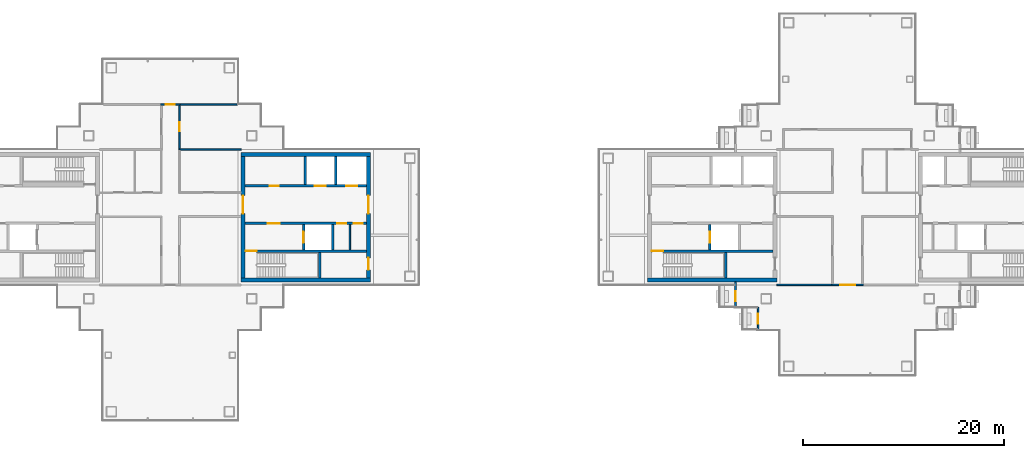
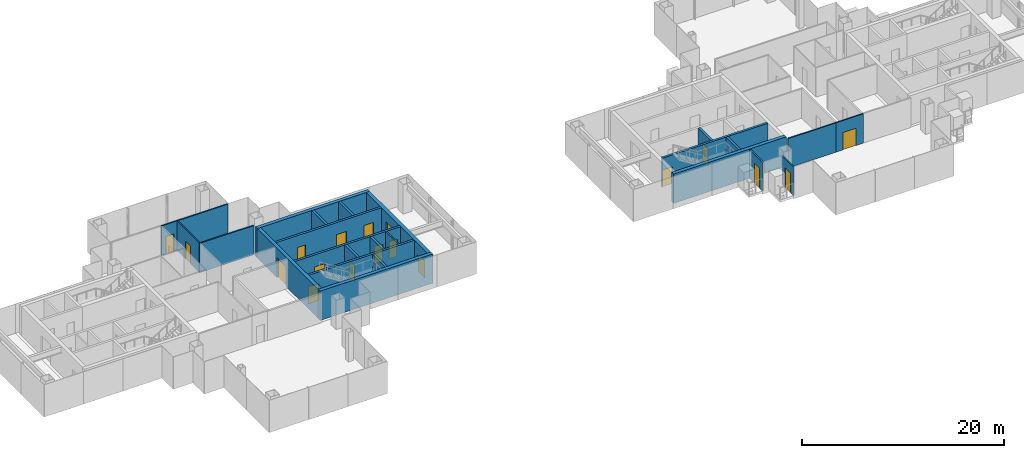
# One storey, part 10 of 16: 25 walls, 18 doors, 18 openings.
"""IFC4 building model written with IfcOpenShell, lengths in metres."""

import ifcopenshell
import ifcopenshell.guid

model = None  # the IFC model being written
_history = None  # IfcOwnerHistory: only IFC2X3 demands one
_inside = {}  # id of a spatial element -> (the spatial element, [elements in it])
_under = {}  # id of a project, library or spatial element -> (it, [spatial elements below it])
_declared = {}  # id of a project -> (the project, [libraries it declares])
_typed = {}  # id of a type object -> (the type object, [elements of that type])
_made_of = {}  # id of a material, layer set ... -> (it, [elements and type objects made of it])


def new_model(schema):
    """Start an empty IFC model of exactly this schema.

    Asked for "IFC4X3", IfcOpenShell would pick the latest addendum, in which some entities
    have other attributes; the version numbers below select the first issue.
    IFC2X3 requires an IfcOwnerHistory on every rooted entity: one is made here for all.
    """
    global model, _history
    if schema == "IFC4X3":
        model = ifcopenshell.file(schema_version=(4, 3, 0, 0))
    else:
        model = ifcopenshell.file(schema=schema)
    _inside.clear()
    _under.clear()
    _declared.clear()
    _typed.clear()
    _made_of.clear()
    _history = None
    if model.schema == "IFC2X3":
        org = make("IfcOrganization", Name="unknown")
        user = make(
            "IfcPersonAndOrganization",
            ThePerson=make("IfcPerson", FamilyName="unknown"),
            TheOrganization=org,
        )
        app = make(
            "IfcApplication",
            ApplicationDeveloper=org,
            Version="unknown",
            ApplicationFullName="unknown",
            ApplicationIdentifier="unknown",
        )
        _history = make(
            "IfcOwnerHistory",
            OwningUser=user,
            OwningApplication=app,
            ChangeAction="ADDED",
            CreationDate=0,
        )
    return model


def make(cls, **values):
    """One entity of the class cls with the attributes given. An attribute that is None is left unset."""
    return model.create_entity(
        cls, **{name: value for name, value in values.items() if value is not None}
    )


def rooted(cls, **values):
    """An entity with a GlobalId (a new one), such as an element, a storey or a relation."""
    return make(cls, GlobalId=ifcopenshell.guid.new(), OwnerHistory=_history, **values)


def si_unit(unit_type, name, prefix=None):
    """IfcSIUnit, for example si_unit("LENGTHUNIT", "METRE", prefix="MILLI")."""
    return make("IfcSIUnit", UnitType=unit_type, Prefix=prefix, Name=name)


def assignment(units):
    """IfcUnitAssignment: the units of a project."""
    return None if units is None else make("IfcUnitAssignment", Units=units)


def point(xyz):
    """IfcCartesianPoint."""
    return None if xyz is None else make("IfcCartesianPoint", Coordinates=xyz)


def direction(xyz):
    """IfcDirection."""
    return None if xyz is None else make("IfcDirection", DirectionRatios=xyz)


def frame(location, z_axis=None, x_axis=None):
    """IfcAxis2Placement3D, a coordinate frame: its origin and axes. An axis left out is left unset."""
    return make(
        "IfcAxis2Placement3D",
        Location=point(location),
        Axis=direction(z_axis),
        RefDirection=direction(x_axis),
    )


def frame_2d(location, x_axis=None):
    """IfcAxis2Placement2D, a coordinate frame in the plane: its origin and x axis."""
    return make(
        "IfcAxis2Placement2D", Location=point(location), RefDirection=direction(x_axis)
    )


def origin():
    """The frame at (0, 0, 0) with its axes left unset."""
    return frame((0.0, 0.0, 0.0))


def place(relative_to, where):
    """IfcLocalPlacement: puts the frame where relative to a parent placement (None: the world)."""
    return make(
        "IfcLocalPlacement", PlacementRelTo=relative_to, RelativePlacement=where
    )


def context(
    kind, dimensions, precision=None, world=None, true_north=None, identifier=None
):
    """IfcGeometricRepresentationContext, for example the 3D "Model" context."""
    return make(
        "IfcGeometricRepresentationContext",
        ContextIdentifier=identifier,
        ContextType=kind,
        CoordinateSpaceDimension=dimensions,
        Precision=precision,
        WorldCoordinateSystem=world,
        TrueNorth=true_north,
    )


def subcontext(parent, identifier, kind, view, scale=None):
    """IfcGeometricRepresentationSubContext, for example "Body" below "Model"."""
    return make(
        "IfcGeometricRepresentationSubContext",
        ContextIdentifier=identifier,
        ContextType=kind,
        ParentContext=parent,
        TargetScale=scale,
        TargetView=view,
    )


def project(units=None, contexts=None):
    """IfcProject with its units and contexts."""
    return rooted(
        "IfcProject",
        Name="project",
        RepresentationContexts=contexts,
        UnitsInContext=assignment(units),
    )


def spatial(cls, under=None, at=None, **own):
    """A site, building, storey or space (cls), placed at a placement, below another one or the project."""
    s = rooted(cls, ObjectPlacement=at, **own)
    if under is not None:
        _under.setdefault(under.id(), (under, []))[1].append(s)
    return s


def profile(cls, at=None, kind="AREA", **sizes):
    """A parametric profile (cls). Its sizes go by their IFC names, for example OverallWidth=200.0."""
    return make(cls, ProfileType=kind, Position=at, **sizes)


def rectangle(**sizes):
    """IfcRectangleProfileDef."""
    return profile("IfcRectangleProfileDef", **sizes)


def extrude(swept, where, along, depth):
    """IfcExtrudedAreaSolid: the profile swept, set in the frame where, extruded along a direction by depth."""
    return make(
        "IfcExtrudedAreaSolid",
        SweptArea=swept,
        Position=where,
        ExtrudedDirection=direction(along),
        Depth=depth,
    )


def shape(context_of_items, identifier, shape_type, items):
    """IfcShapeRepresentation: the items that make up one representation, for example the "Body"."""
    return make(
        "IfcShapeRepresentation",
        ContextOfItems=context_of_items,
        RepresentationIdentifier=identifier,
        RepresentationType=shape_type,
        Items=items,
    )


def material(Name=None, Category=None):
    """IfcMaterial."""
    return make("IfcMaterial", Name=Name, Category=Category)


def layer(
    of_material, thickness, ventilated=None, Name=None, Category=None, Priority=None
):
    """IfcMaterialLayer: one layer of a wall or slab, of a material (None: an air gap)."""
    return make(
        "IfcMaterialLayer",
        Material=of_material,
        LayerThickness=thickness,
        IsVentilated=ventilated,
        Name=Name,
        Category=Category,
        Priority=Priority,
    )


def layer_set(layers, Name=None):
    """IfcMaterialLayerSet."""
    return make("IfcMaterialLayerSet", MaterialLayers=layers, LayerSetName=Name)


def made_of(thing, what):
    """Note that an element or type object is made of a material, layer set ...; save() writes the relation."""
    if what is not None:
        _made_of.setdefault(what.id(), (what, []))[1].append(thing)
    return thing


def type_object(cls, material=None, **own):
    """A type object (cls), such as IfcWallType, which elements share."""
    return made_of(rooted(cls, **own), material)


def element(
    cls,
    number,
    at=None,
    inside=None,
    cuts=None,
    type_object=None,
    material=None,
    context=None,
    identifier="Body",
    shape_type=None,
    held_by="IfcProductDefinitionShape",
    body=None,
    shapes=None,
    **own,
):
    """One element of the class cls, such as IfcWall. Its Tag is "e" and its number.

    at: its placement. inside: the storey or other place that contains it. cuts: it is an
    opening in that element (IfcRelVoidsElement). A single representation is given by context,
    identifier, shape_type and body (its items); several are given by shapes. held_by: the class
    of the entity that holds the representations. save() writes the other relations.
    """
    e = rooted(cls, Tag="e%d" % number, ObjectPlacement=at, **own)
    if body is not None:
        shapes = [shape(context, identifier, shape_type, body)]
    if shapes is not None:
        e.Representation = make(held_by, Representations=shapes)
    if inside is not None:
        _inside.setdefault(inside.id(), (inside, []))[1].append(e)
    if cuts is not None:
        rooted(
            "IfcRelVoidsElement", RelatingBuildingElement=cuts, RelatedOpeningElement=e
        )
    if type_object is not None:
        _typed.setdefault(type_object.id(), (type_object, []))[1].append(e)
    return made_of(e, material)


def fill(opening, filler):
    """IfcRelFillsElement: the door or window that sits in an opening."""
    return rooted(
        "IfcRelFillsElement",
        RelatingOpeningElement=opening,
        RelatedBuildingElement=filler,
    )


def aggregate(whole, parts):
    """IfcRelAggregates: a whole, such as a stair, and the parts it consists of."""
    return rooted("IfcRelAggregates", RelatingObject=whole, RelatedObjects=parts)


def save(model, path):
    """Write the relations noted so far, then the file.

    IfcRelAggregates (storeys below a building ...), IfcRelContainedInSpatialStructure (elements
    in a storey), IfcRelDefinesByType, IfcRelAssociatesMaterial and IfcRelDeclares: one each for
    every whole, place, type object, material and project.
    """
    for whole, parts in _under.values():
        aggregate(whole, parts)
    for where, things in _inside.values():
        rooted(
            "IfcRelContainedInSpatialStructure",
            RelatedElements=things,
            RelatingStructure=where,
        )
    for kind, things in _typed.values():
        rooted("IfcRelDefinesByType", RelatedObjects=things, RelatingType=kind)
    for what, things in _made_of.values():
        rooted("IfcRelAssociatesMaterial", RelatedObjects=things, RelatingMaterial=what)
    for by, libraries in _declared.values():
        rooted("IfcRelDeclares", RelatingContext=by, RelatedDefinitions=libraries)
    model.write(path)


model = new_model("IFC4")

# Units and contexts
model_context = context("Model", 3, precision=1e-05, world=origin(), true_north=direction((0.0, 1.0)))
body_context = subcontext(model_context, "Body", "Model", "MODEL_VIEW")
ifc_project = project(units=[si_unit("LENGTHUNIT", "METRE"), si_unit("AREAUNIT", "SQUARE_METRE"), si_unit("VOLUMEUNIT", "CUBIC_METRE"), si_unit("PLANEANGLEUNIT", "RADIAN"), si_unit("MASSUNIT", "GRAM", prefix="KILO")], contexts=[model_context])

# Site, building, storey
site_placement = place(None, origin())
site = spatial("IfcSite", under=ifc_project, at=site_placement, CompositionType="ELEMENT")
building_placement = place(site_placement, origin())
building = spatial("IfcBuilding", under=site, at=building_placement, Name="Shamsa Quay Exchange Towers", CompositionType="ELEMENT")
storey_placement = place(building_placement, frame((0.0, 0.0, 213.89990234375)))
storey = spatial("IfcBuildingStorey", under=building, at=storey_placement, Name="L51", CompositionType="ELEMENT", Elevation=213.89990234375)

# Wall, opening, door
ifc_material_1 = material(Name="Aluminium EN AW-6063 T6, black anodised, with black enamelled glass infill", Category="aluminium")
ifc_layer_1 = layer(ifc_material_1, 0.14990234375)
ifc_layer_set_1 = layer_set([ifc_layer_1], Name="BALCONY DOOR BAY WALL 150")
wall_type_1 = type_object("IfcWallType", Name="BALCONY DOOR BAY WALL 150", PredefinedType="SOLIDWALL", material=ifc_layer_set_1)
wall_1_placement = place(storey_placement, frame((22.574951171875, -9.0, 0.0), z_axis=(0.0, 0.0, 1.0), x_axis=(0.0, 1.0, 0.0)))
wall_1 = element("IfcWall", 1, at=wall_1_placement, inside=storey, type_object=wall_type_1, Name="Door bay T2-PKWN L51", PredefinedType="SOLIDWALL", context=body_context, shape_type="SweptSolid", body=[
    extrude(rectangle(XDim=2.556884765625, YDim=0.14990234375, at=frame_2d((1.2783203125, 0.0))), origin(), (0.0, 0.0, 1.0), 3.4501953125),
])
opening_1_placement = place(wall_1_placement, frame((0.625, 0.0, 0.0)))
opening_1 = element("IfcOpeningElement", 2, at=opening_1_placement, cuts=wall_1, Name="Opening XD341", PredefinedType="OPENING", context=body_context, shape_type="SweptSolid", body=[
    extrude(rectangle(XDim=1.0, YDim=2.39990234375, at=frame_2d((0.5, 1.199951171875))), frame((0.0, 0.0849609375, 0.0), z_axis=(0.0, -1.0, 0.0), x_axis=(1.0, 0.0, 0.0)), (0.0, 0.0, 1.0), 0.169921875),
])
ifc_material_2 = material(Name="Aluminium EN AW-6063 T6, black anodised, with laminated glass leaf", Category="aluminium")
door_type_1 = type_object("IfcDoorType", Name="BALCONY DOOR 1000x2400", OperationType="SINGLE_SWING_LEFT", PredefinedType="DOOR", material=ifc_material_2)
door_1_placement = place(opening_1_placement, origin())
door_1 = element("IfcDoor", 3, at=door_1_placement, inside=storey, type_object=door_type_1, Name="Balcony door T2-PKWN L51", OperationType="SINGLE_SWING_LEFT", OverallHeight=2.39990234375, OverallWidth=1.0, PredefinedType="DOOR", context=body_context, shape_type="SweptSolid", body=[
    extrude(rectangle(XDim=1.0, YDim=2.39990234375, at=frame_2d((0.5, 1.199951171875))), frame((0.0, 0.02490234375, 0.0), z_axis=(0.0, -1.0, 0.0), x_axis=(1.0, 0.0, 0.0)), (0.0, 0.0, 1.0), 0.050048828125),
])
fill(opening_1, door_1)

wall_2_placement = place(storey_placement, frame((24.824951171875, -11.25, 0.0), z_axis=(0.0, 0.0, 1.0), x_axis=(0.0, 1.0, 0.0)))
wall_2 = element("IfcWall", 4, at=wall_2_placement, inside=storey, type_object=wall_type_1, Name="Door bay T2-PKWN L51", PredefinedType="SOLIDWALL", context=body_context, shape_type="SweptSolid", body=[
    extrude(rectangle(XDim=2.25, YDim=0.14990234375, at=frame_2d((1.125, 0.0))), origin(), (0.0, 0.0, 1.0), 3.4501953125),
])
opening_2_placement = place(wall_2_placement, frame((0.625, 0.0, 0.0)))
opening_2 = element("IfcOpeningElement", 5, at=opening_2_placement, cuts=wall_2, Name="Opening XD342", PredefinedType="OPENING", context=body_context, shape_type="SweptSolid", body=[
    extrude(rectangle(XDim=1.0, YDim=2.39990234375, at=frame_2d((0.5, 1.199951171875))), frame((0.0, 0.0849609375, 0.0), z_axis=(0.0, -1.0, 0.0), x_axis=(1.0, 0.0, 0.0)), (0.0, 0.0, 1.0), 0.169921875),
])
door_2_placement = place(opening_2_placement, origin())
door_2 = element("IfcDoor", 6, at=door_2_placement, inside=storey, type_object=door_type_1, Name="Balcony door T2-PKWN L51", OperationType="SINGLE_SWING_RIGHT", OverallHeight=2.39990234375, OverallWidth=1.0, PredefinedType="DOOR", context=body_context, shape_type="SweptSolid", body=[
    extrude(rectangle(XDim=1.0, YDim=2.39990234375, at=frame_2d((0.5, 1.199951171875))), frame((0.0, 0.02490234375, 0.0), z_axis=(0.0, -1.0, 0.0), x_axis=(1.0, 0.0, 0.0)), (0.0, 0.0, 1.0), 0.050048828125),
])
fill(opening_2, door_2)

# Walls
ifc_material_3 = material(Name="Concrete C60/75", Category="concrete")
ifc_layer_2 = layer(ifc_material_3, 0.39990234375)
ifc_layer_set_2 = layer_set([ifc_layer_2], Name="CORE WALL 400 C60/75")
wall_type_2 = type_object("IfcWallType", Name="CORE WALL 400 C60/75", PredefinedType="SHEAR", material=ifc_layer_set_2)
for number, where, name in (
    (7, (-26.699951171875, -6.25, 0.0), "Core wall T1A-R23-PS"),
    (8, (-26.699951171875, 6.25, 0.0), "Core wall T1A-R23-PN"),
):
    element("IfcWall", number, at=place(storey_placement, frame(where)), inside=storey, type_object=wall_type_2, Name=name, PredefinedType="SHEAR", context=body_context, shape_type="SweptSolid", body=[
        extrude(rectangle(XDim=12.89990234375, YDim=0.39990234375, at=frame_2d((6.449951171875, 0.0))), origin(), (0.0, 0.0, 1.0), 3.550048828125),
    ])

# Wall, opening, door
wall_3_placement = place(storey_placement, frame((-26.5, 6.050048828125, 0.0), z_axis=(0.0, 0.0, 1.0), x_axis=(0.0, -1.0, 0.0)))
wall_3 = element("IfcWall", 9, at=wall_3_placement, inside=storey, type_object=wall_type_2, Name="Core wall T1A-R23-PF", PredefinedType="SHEAR", context=body_context, shape_type="SweptSolid", body=[
    extrude(rectangle(XDim=12.10009765625, YDim=0.39990234375, at=frame_2d((6.050048828125, 0.0))), origin(), (0.0, 0.0, 1.0), 3.550048828125),
])
opening_3_placement = place(wall_3_placement, frame((3.89990234375, 0.0, 0.0)))
opening_3 = element("IfcOpeningElement", 10, at=opening_3_placement, cuts=wall_3, Name="Opening T1A-R23-LBD01", PredefinedType="OPENING", context=body_context, shape_type="SweptSolid", body=[
    extrude(rectangle(XDim=1.800048828125, YDim=2.39990234375, at=frame_2d((0.89990234375, 1.199951171875))), frame((0.0, 0.2099609375, 0.0), z_axis=(0.0, -1.0, 0.0), x_axis=(1.0, 0.0, 0.0)), (0.0, 0.0, 1.0), 0.419921875),
])
ifc_material_4 = material(Name="Steel, fire rated", Category="steel")
door_type_2 = type_object("IfcDoorType", Name="LIFT LOBBY DOOR PAIR 1800", OperationType="DOUBLE_DOOR_SINGLE_SWING", PredefinedType="DOOR", material=ifc_material_4)
door_3_placement = place(opening_3_placement, origin())
door_3 = element("IfcDoor", 11, at=door_3_placement, inside=storey, type_object=door_type_2, Name="T1A-R23-LBD01", OperationType="DOUBLE_DOOR_SINGLE_SWING", OverallHeight=2.39990234375, OverallWidth=1.800048828125, PredefinedType="DOOR", context=body_context, shape_type="SweptSolid", body=[
    extrude(rectangle(XDim=1.800048828125, YDim=2.39990234375, at=frame_2d((0.89990234375, 1.199951171875))), frame((0.0, 0.02490234375, 0.0), z_axis=(0.0, -1.0, 0.0), x_axis=(1.0, 0.0, 0.0)), (0.0, 0.0, 1.0), 0.050048828125),
])
fill(opening_3, door_3)

# Wall, openings, doors
wall_4_placement = place(storey_placement, frame((-14.0, 6.050048828125, 0.0), z_axis=(0.0, 0.0, 1.0), x_axis=(0.0, -1.0, 0.0)))
wall_4 = element("IfcWall", 12, at=wall_4_placement, inside=storey, type_object=wall_type_2, Name="Core wall T1A-R23-PB", PredefinedType="SHEAR", context=body_context, shape_type="SweptSolid", body=[
    extrude(rectangle(XDim=12.10009765625, YDim=0.39990234375, at=frame_2d((6.050048828125, 0.0))), origin(), (0.0, 0.0, 1.0), 3.550048828125),
])
opening_4_placement = place(wall_4_placement, frame((10.10009765625, 0.0, 0.0)))
opening_4 = element("IfcOpeningElement", 13, at=opening_4_placement, cuts=wall_4, Name="Opening T1A-R23-RD02", PredefinedType="OPENING", context=body_context, shape_type="SweptSolid", body=[
    extrude(rectangle(XDim=1.199951171875, YDim=2.10009765625, at=frame_2d((0.60009765625, 1.050048828125))), frame((0.0, 0.2099609375, 0.0), z_axis=(0.0, -1.0, 0.0), x_axis=(1.0, 0.0, 0.0)), (0.0, 0.0, 1.0), 0.419921875),
])
opening_5_placement = place(wall_4_placement, frame((3.89990234375, 0.0, 0.0)))
opening_5 = element("IfcOpeningElement", 14, at=opening_5_placement, cuts=wall_4, Name="Opening T1A-R23-LBD03", PredefinedType="OPENING", context=body_context, shape_type="SweptSolid", body=[
    extrude(rectangle(XDim=1.800048828125, YDim=2.39990234375, at=frame_2d((0.89990234375, 1.199951171875))), frame((0.0, 0.2099609375, 0.0), z_axis=(0.0, -1.0, 0.0), x_axis=(1.0, 0.0, 0.0)), (0.0, 0.0, 1.0), 0.419921875),
])
door_4_placement = place(opening_5_placement, origin())
door_4 = element("IfcDoor", 15, at=door_4_placement, inside=storey, type_object=door_type_2, Name="T1A-R23-LBD03", OperationType="DOUBLE_DOOR_SINGLE_SWING", OverallHeight=2.39990234375, OverallWidth=1.800048828125, PredefinedType="DOOR", context=body_context, shape_type="SweptSolid", body=[
    extrude(rectangle(XDim=1.800048828125, YDim=2.39990234375, at=frame_2d((0.89990234375, 1.199951171875))), frame((0.0, 0.02490234375, 0.0), z_axis=(0.0, -1.0, 0.0), x_axis=(1.0, 0.0, 0.0)), (0.0, 0.0, 1.0), 0.050048828125),
])
fill(opening_5, door_4)
door_type_3 = type_object("IfcDoorType", Name="RISER ACCESS DOOR 1200", OperationType="SINGLE_SWING_LEFT", PredefinedType="DOOR", material=ifc_material_4)
door_5_placement = place(opening_4_placement, origin())
door_5 = element("IfcDoor", 16, at=door_5_placement, inside=storey, type_object=door_type_3, Name="T1A-R23-RD02", OperationType="SINGLE_SWING_RIGHT", OverallHeight=2.10009765625, OverallWidth=1.199951171875, PredefinedType="DOOR", context=body_context, shape_type="SweptSolid", body=[
    extrude(rectangle(XDim=1.199951171875, YDim=2.10009765625, at=frame_2d((0.60009765625, 1.050048828125))), frame((0.0, 0.02490234375, 0.0), z_axis=(0.0, -1.0, 0.0), x_axis=(1.0, 0.0, 0.0)), (0.0, 0.0, 1.0), 0.050048828125),
])
fill(opening_4, door_5)

# Walls
wall_5_placement = place(storey_placement, frame((13.800048828125, -6.25, 0.0)))
element("IfcWall", 17, at=wall_5_placement, inside=storey, type_object=wall_type_2, Name="Core wall T2A-R23-PS", PredefinedType="SHEAR", context=body_context, shape_type="SweptSolid", body=[
    extrude(rectangle(XDim=12.89990234375, YDim=0.39990234375, at=frame_2d((6.449951171875, 0.0))), origin(), (0.0, 0.0, 1.0), 3.550048828125),
])
ifc_material_5 = material(Name="Gypsum board on steel studs, EI 60", Category="steel")
ifc_layer_3 = layer(ifc_material_5, 0.14990234375)
ifc_layer_set_3 = layer_set([ifc_layer_3], Name="FIRE PARTITION 150")
wall_type_3 = type_object("IfcWallType", Name="FIRE PARTITION 150", PredefinedType="PARTITIONING", material=ifc_layer_set_3)
wall_6_placement = place(storey_placement, frame((-15.85009765625, -3.25, 0.0), z_axis=(0.0, 0.0, 1.0), x_axis=(0.0, 1.0, 0.0)))
element("IfcWall", 18, at=wall_6_placement, inside=storey, type_object=wall_type_3, Name="Partition T1A-R23-EC0", PredefinedType="PARTITIONING", context=body_context, shape_type="SweptSolid", body=[
    extrude(rectangle(XDim=2.5, YDim=0.14990234375, at=frame_2d((1.25, 0.0))), origin(), (0.0, 0.0, 1.0), 3.550048828125),
])

# Wall, opening, door
ifc_material_6 = material(Name="Gypsum board partition on metal studs")
ifc_layer_4 = layer(ifc_material_6, 0.14990234375)
ifc_layer_set_4 = layer_set([ifc_layer_4], Name="Partition 150 mm EI 60")
wall_type_4 = type_object("IfcWallType", Name="Partition 150 mm EI 60", PredefinedType="PARTITIONING", material=ifc_layer_set_4)
wall_7_placement = place(storey_placement, frame((-32.849609375, 11.175048828125, 0.0), z_axis=(0.0, 0.0, 1.0), x_axis=(0.0, -1.0, 0.0)))
wall_7 = element("IfcWall", 19, at=wall_7_placement, inside=storey, type_object=wall_type_4, Name="Partition T1-R23-W09", PredefinedType="PARTITIONING", context=body_context, shape_type="SweptSolid", body=[
    extrude(rectangle(XDim=4.35009765625, YDim=0.14990234375, at=frame_2d((2.175048828125, 0.0))), origin(), (0.0, 0.0, 1.0), 3.550048828125),
])
opening_6_placement = place(wall_7_placement, frame((1.72509765625, 0.0, 0.0)))
opening_6 = element("IfcOpeningElement", 20, at=opening_6_placement, cuts=wall_7, Name="Opening T1-R23-D09", PredefinedType="OPENING", context=body_context, shape_type="SweptSolid", body=[
    extrude(rectangle(XDim=0.89990234375, YDim=2.10009765625, at=frame_2d((0.449951171875, 1.050048828125))), frame((0.0, 0.0849609375, 0.0), z_axis=(0.0, -1.0, 0.0), x_axis=(1.0, 0.0, 0.0)), (0.0, 0.0, 1.0), 0.169921875),
])
ifc_material_7 = material(Name="Timber door leaf in a metal frame", Category="wood")
door_type_4 = type_object("IfcDoorType", Name="Door 900x2100 FD30S", OperationType="NOTDEFINED", PredefinedType="DOOR", material=ifc_material_7)
door_6_placement = place(opening_6_placement, origin())
door_6 = element("IfcDoor", 21, at=door_6_placement, inside=storey, type_object=door_type_4, Name="Door T1-R23-D09", OperationType="SINGLE_SWING_LEFT", OverallHeight=2.10009765625, OverallWidth=0.89990234375, PredefinedType="DOOR", context=body_context, shape_type="SweptSolid", body=[
    extrude(rectangle(XDim=0.89990234375, YDim=2.10009765625, at=frame_2d((0.449951171875, 1.050048828125))), frame((0.0, 0.02490234375, 0.0), z_axis=(0.0, -1.0, 0.0), x_axis=(1.0, 0.0, 0.0)), (0.0, 0.0, 1.0), 0.050048828125),
])
fill(opening_6, door_6)

wall_8_placement = place(storey_placement, frame((-34.725341796875, 11.25, 0.0)))
wall_8 = element("IfcWall", 22, at=wall_8_placement, inside=storey, type_object=wall_type_4, Name="Partition T1-R23-W11", PredefinedType="PARTITIONING", context=body_context, shape_type="SweptSolid", body=[
    extrude(rectangle(XDim=1.95068359375, YDim=0.14990234375, at=frame_2d((0.975341796875, 0.0))), origin(), (0.0, 0.0, 1.0), 3.550048828125),
])
opening_7_placement = place(wall_8_placement, frame((0.525390625, 0.0, 0.0)))
opening_7 = element("IfcOpeningElement", 23, at=opening_7_placement, cuts=wall_8, Name="Opening T1-R23-D05", PredefinedType="OPENING", context=body_context, shape_type="SweptSolid", body=[
    extrude(rectangle(XDim=0.89990234375, YDim=2.10009765625, at=frame_2d((0.449951171875, 1.050048828125))), frame((0.0, 0.0849609375, 0.0), z_axis=(0.0, -1.0, 0.0), x_axis=(1.0, 0.0, 0.0)), (0.0, 0.0, 1.0), 0.169921875),
])
door_7_placement = place(opening_7_placement, origin())
door_7 = element("IfcDoor", 24, at=door_7_placement, inside=storey, type_object=door_type_4, Name="Door T1-R23-D05", OperationType="SINGLE_SWING_LEFT", OverallHeight=2.10009765625, OverallWidth=0.89990234375, PredefinedType="DOOR", context=body_context, shape_type="SweptSolid", body=[
    extrude(rectangle(XDim=0.89990234375, YDim=2.10009765625, at=frame_2d((0.449951171875, 1.050048828125))), frame((0.0, 0.02490234375, 0.0), z_axis=(0.0, -1.0, 0.0), x_axis=(1.0, 0.0, 0.0)), (0.0, 0.0, 1.0), 0.050048828125),
])
fill(opening_7, door_7)

# Walls
wall_9_placement = place(storey_placement, frame((-26.699951171875, 6.75, 0.0), z_axis=(0.0, 0.0, 1.0), x_axis=(-1.0, 0.0, 0.0)))
element("IfcWall", 25, at=wall_9_placement, inside=storey, type_object=wall_type_4, Name="Partition T1-R23-W13", PredefinedType="PARTITIONING", context=body_context, shape_type="SweptSolid", body=[
    extrude(rectangle(XDim=6.224609375, YDim=0.14990234375, at=frame_2d((3.1123046875, 0.0))), origin(), (0.0, 0.0, 1.0), 3.550048828125),
])
wall_10_placement = place(storey_placement, frame((-27.094970703125, 11.25, 0.0), z_axis=(0.0, 0.0, 1.0), x_axis=(-1.0, 0.0, 0.0)))
element("IfcWall", 26, at=wall_10_placement, inside=storey, type_object=wall_type_4, Name="Partition T1-R23-W18", PredefinedType="PARTITIONING", context=body_context, shape_type="SweptSolid", body=[
    extrude(rectangle(XDim=5.82958984375, YDim=0.14990234375, at=frame_2d((2.914794921875, 0.0))), origin(), (0.0, 0.0, 1.0), 3.550048828125),
])

# Wall, opening, door
wall_11_placement = place(storey_placement, frame((35.324951171875, -6.75, 0.0), z_axis=(0.0, 0.0, 1.0), x_axis=(-1.0, 0.0, 0.0)))
wall_11 = element("IfcWall", 27, at=wall_11_placement, inside=storey, type_object=wall_type_4, Name="Partition T2-R23-W15", PredefinedType="PARTITIONING", context=body_context, shape_type="SweptSolid", body=[
    extrude(rectangle(XDim=3.14990234375, YDim=0.14990234375, at=frame_2d((1.574951171875, 0.0))), origin(), (0.0, 0.0, 1.0), 3.550048828125),
])
opening_8_placement = place(wall_11_placement, frame((0.824951171875, 0.0, 0.0)))
opening_8 = element("IfcOpeningElement", 28, at=opening_8_placement, cuts=wall_11, Name="Opening T2-R23-D05", PredefinedType="OPENING", context=body_context, shape_type="SweptSolid", body=[
    extrude(rectangle(XDim=1.5, YDim=2.10009765625, at=frame_2d((0.75, 1.050048828125))), frame((0.0, 0.0849609375, 0.0), z_axis=(0.0, -1.0, 0.0), x_axis=(1.0, 0.0, 0.0)), (0.0, 0.0, 1.0), 0.169921875),
])
door_type_5 = type_object("IfcDoorType", Name="Door 1500x2100 FD30S pair", OperationType="NOTDEFINED", PredefinedType="DOOR", material=ifc_material_7)
door_8_placement = place(opening_8_placement, origin())
door_8 = element("IfcDoor", 29, at=door_8_placement, inside=storey, type_object=door_type_5, Name="Door T2-R23-D05", OperationType="DOUBLE_DOOR_SINGLE_SWING", OverallHeight=2.10009765625, OverallWidth=1.5, PredefinedType="DOOR", context=body_context, shape_type="SweptSolid", body=[
    extrude(rectangle(XDim=1.5, YDim=2.10009765625, at=frame_2d((0.75, 1.050048828125))), frame((0.0, 0.02490234375, 0.0), z_axis=(0.0, -1.0, 0.0), x_axis=(1.0, 0.0, 0.0)), (0.0, 0.0, 1.0), 0.050048828125),
])
fill(opening_8, door_8)

# Wall
wall_12_placement = place(storey_placement, frame((26.699951171875, -6.75, 0.0)))
element("IfcWall", 30, at=wall_12_placement, inside=storey, type_object=wall_type_4, Name="Partition T2-R23-W17", PredefinedType="PARTITIONING", context=body_context, shape_type="SweptSolid", body=[
    extrude(rectangle(XDim=5.625, YDim=0.14990234375, at=frame_2d((2.8125, 0.0))), origin(), (0.0, 0.0, 1.0), 3.550048828125),
])

# Wall, opening, door
ifc_material_8 = material(Name="Concrete C50/60", Category="concrete")
ifc_layer_5 = layer(ifc_material_8, 0.25)
ifc_layer_set_5 = layer_set([ifc_layer_5], Name="SHAFT WALL 250 C50/60")
wall_type_5 = type_object("IfcWallType", Name="SHAFT WALL 250 C50/60", PredefinedType="SHEAR", material=ifc_layer_set_5)
wall_13_placement = place(storey_placement, frame((-14.199951171875, -3.375, 0.0), z_axis=(0.0, 0.0, 1.0), x_axis=(-1.0, 0.0, 0.0)))
wall_13 = element("IfcWall", 31, at=wall_13_placement, inside=storey, type_object=wall_type_5, Name="Shaft wall T1A-R23-STL", PredefinedType="SHEAR", context=body_context, shape_type="SweptSolid", body=[
    extrude(rectangle(XDim=12.10009765625, YDim=0.25, at=frame_2d((6.050048828125, 0.0))), origin(), (0.0, 0.0, 1.0), 3.550048828125),
])
opening_9_placement = place(wall_13_placement, frame((10.949951171875, 0.0, 0.0)))
opening_9 = element("IfcOpeningElement", 32, at=opening_9_placement, cuts=wall_13, Name="Opening T1A-R23-SD04", PredefinedType="OPENING", context=body_context, shape_type="SweptSolid", body=[
    extrude(rectangle(XDim=1.10009765625, YDim=2.10009765625, at=frame_2d((0.550048828125, 1.050048828125))), frame((0.0, 0.135009765625, 0.0), z_axis=(0.0, -1.0, 0.0), x_axis=(1.0, 0.0, 0.0)), (0.0, 0.0, 1.0), 0.27001953125),
])
door_type_6 = type_object("IfcDoorType", Name="STAIR DOOR 1100", OperationType="SINGLE_SWING_LEFT", PredefinedType="DOOR", material=ifc_material_4)
door_9_placement = place(opening_9_placement, origin())
door_9 = element("IfcDoor", 33, at=door_9_placement, inside=storey, type_object=door_type_6, Name="T1A-R23-SD04", OperationType="SINGLE_SWING_RIGHT", OverallHeight=2.10009765625, OverallWidth=1.10009765625, PredefinedType="DOOR", context=body_context, shape_type="SweptSolid", body=[
    extrude(rectangle(XDim=1.10009765625, YDim=2.10009765625, at=frame_2d((0.550048828125, 1.050048828125))), frame((0.0, 0.02490234375, 0.0), z_axis=(0.0, -1.0, 0.0), x_axis=(1.0, 0.0, 0.0)), (0.0, 0.0, 1.0), 0.050048828125),
])
fill(opening_9, door_9)

# Wall
wall_14_placement = place(storey_placement, frame((-18.875, -6.050048828125, 0.0), z_axis=(0.0, 0.0, 1.0), x_axis=(0.0, 1.0, 0.0)))
element("IfcWall", 34, at=wall_14_placement, inside=storey, type_object=wall_type_5, Name="Shaft wall T1A-R23-STF", PredefinedType="SHEAR", context=body_context, shape_type="SweptSolid", body=[
    extrude(rectangle(XDim=2.550048828125, YDim=0.25, at=frame_2d((1.27490234375, 0.0))), origin(), (0.0, 0.0, 1.0), 3.550048828125),
])

# Wall, openings, doors
wall_15_placement = place(storey_placement, frame((-14.199951171875, -0.625, 0.0), z_axis=(0.0, 0.0, 1.0), x_axis=(-1.0, 0.0, 0.0)))
wall_15 = element("IfcWall", 35, at=wall_15_placement, inside=storey, type_object=wall_type_5, Name="Shaft wall T1A-R23-B", PredefinedType="SHEAR", context=body_context, shape_type="SweptSolid", body=[
    extrude(rectangle(XDim=12.10009765625, YDim=0.25, at=frame_2d((6.050048828125, 0.0))), origin(), (0.0, 0.0, 1.0), 3.550048828125),
])
opening_10_placement = place(wall_15_placement, frame((8.64990234375, 0.0, 0.0)))
opening_10 = element("IfcOpeningElement", 36, at=opening_10_placement, cuts=wall_15, Name="Opening T1A-R23-FD05", PredefinedType="OPENING", context=body_context, shape_type="SweptSolid", body=[
    extrude(rectangle(XDim=1.199951171875, YDim=2.10009765625, at=frame_2d((0.60009765625, 1.050048828125))), frame((0.0, 0.135009765625, 0.0), z_axis=(0.0, -1.0, 0.0), x_axis=(1.0, 0.0, 0.0)), (0.0, 0.0, 1.0), 0.27001953125),
])
opening_11_placement = place(wall_15_placement, frame((2.0, 0.0, 0.0)))
opening_11 = element("IfcOpeningElement", 37, at=opening_11_placement, cuts=wall_15, Name="Opening T1A-R23-SV06", PredefinedType="OPENING", context=body_context, shape_type="SweptSolid", body=[
    extrude(rectangle(XDim=0.89990234375, YDim=2.10009765625, at=frame_2d((0.449951171875, 1.050048828125))), frame((0.0, 0.135009765625, 0.0), z_axis=(0.0, -1.0, 0.0), x_axis=(1.0, 0.0, 0.0)), (0.0, 0.0, 1.0), 0.27001953125),
])
opening_12_placement = place(wall_15_placement, frame((0.375, 0.0, 0.0)))
opening_12 = element("IfcOpeningElement", 38, at=opening_12_placement, cuts=wall_15, Name="Opening T1A-R23-SV07", PredefinedType="OPENING", context=body_context, shape_type="SweptSolid", body=[
    extrude(rectangle(XDim=0.89990234375, YDim=2.10009765625, at=frame_2d((0.449951171875, 1.050048828125))), frame((0.0, 0.135009765625, 0.0), z_axis=(0.0, -1.0, 0.0), x_axis=(1.0, 0.0, 0.0)), (0.0, 0.0, 1.0), 0.27001953125),
])
door_type_7 = type_object("IfcDoorType", Name="FIRE SERVICE LOBBY DOOR 1200", OperationType="SINGLE_SWING_LEFT", PredefinedType="DOOR", material=ifc_material_4)
door_10_placement = place(opening_10_placement, origin())
door_10 = element("IfcDoor", 39, at=door_10_placement, inside=storey, type_object=door_type_7, Name="T1A-R23-FD05", OperationType="SINGLE_SWING_RIGHT", OverallHeight=2.10009765625, OverallWidth=1.199951171875, PredefinedType="DOOR", context=body_context, shape_type="SweptSolid", body=[
    extrude(rectangle(XDim=1.199951171875, YDim=2.10009765625, at=frame_2d((0.60009765625, 1.050048828125))), frame((0.0, 0.02490234375, 0.0), z_axis=(0.0, -1.0, 0.0), x_axis=(1.0, 0.0, 0.0)), (0.0, 0.0, 1.0), 0.050048828125),
])
fill(opening_10, door_10)
door_type_8 = type_object("IfcDoorType", Name="SERVICE ROOM DOOR 900", OperationType="SINGLE_SWING_LEFT", PredefinedType="DOOR", material=ifc_material_4)
door_11_placement = place(opening_11_placement, origin())
door_11 = element("IfcDoor", 40, at=door_11_placement, inside=storey, type_object=door_type_8, Name="T1A-R23-SV06", OperationType="SINGLE_SWING_LEFT", OverallHeight=2.10009765625, OverallWidth=0.89990234375, PredefinedType="DOOR", context=body_context, shape_type="SweptSolid", body=[
    extrude(rectangle(XDim=0.89990234375, YDim=2.10009765625, at=frame_2d((0.449951171875, 1.050048828125))), frame((0.0, 0.02490234375, 0.0), z_axis=(0.0, -1.0, 0.0), x_axis=(1.0, 0.0, 0.0)), (0.0, 0.0, 1.0), 0.050048828125),
])
fill(opening_11, door_11)
door_12_placement = place(opening_12_placement, origin())
door_12 = element("IfcDoor", 41, at=door_12_placement, inside=storey, type_object=door_type_8, Name="T1A-R23-SV07", OperationType="SINGLE_SWING_LEFT", OverallHeight=2.10009765625, OverallWidth=0.89990234375, PredefinedType="DOOR", context=body_context, shape_type="SweptSolid", body=[
    extrude(rectangle(XDim=0.89990234375, YDim=2.10009765625, at=frame_2d((0.449951171875, 1.050048828125))), frame((0.0, 0.02490234375, 0.0), z_axis=(0.0, -1.0, 0.0), x_axis=(1.0, 0.0, 0.0)), (0.0, 0.0, 1.0), 0.050048828125),
])
fill(opening_12, door_12)

# Wall, opening, door
wall_16_placement = place(storey_placement, frame((-20.47509765625, -3.25, 0.0), z_axis=(0.0, 0.0, 1.0), x_axis=(0.0, 1.0, 0.0)))
wall_16 = element("IfcWall", 42, at=wall_16_placement, inside=storey, type_object=wall_type_5, Name="Shaft wall T1A-R23-FFF", PredefinedType="SHEAR", context=body_context, shape_type="SweptSolid", body=[
    extrude(rectangle(XDim=2.5, YDim=0.25, at=frame_2d((1.25, 0.0))), origin(), (0.0, 0.0, 1.0), 3.550048828125),
])
opening_13_placement = place(wall_16_placement, frame((0.699951171875, 0.0, 0.0)))
opening_13 = element("IfcOpeningElement", 43, at=opening_13_placement, cuts=wall_16, Name="Opening T1A-R23-LDF08", PredefinedType="OPENING", context=body_context, shape_type="SweptSolid", body=[
    extrude(rectangle(XDim=1.10009765625, YDim=2.10009765625, at=frame_2d((0.550048828125, 1.050048828125))), frame((0.0, 0.135009765625, 0.0), z_axis=(0.0, -1.0, 0.0), x_axis=(1.0, 0.0, 0.0)), (0.0, 0.0, 1.0), 0.27001953125),
])
door_type_9 = type_object("IfcDoorType", Name="FIRE SERVICE LANDING DOOR 1100", OperationType="SLIDING_TO_LEFT", PredefinedType="DOOR", material=ifc_material_4)
door_13_placement = place(opening_13_placement, origin())
door_13 = element("IfcDoor", 44, at=door_13_placement, inside=storey, type_object=door_type_9, Name="T1A-R23-LDF08", OperationType="SLIDING_TO_LEFT", OverallHeight=2.10009765625, OverallWidth=1.10009765625, PredefinedType="DOOR", context=body_context, shape_type="SweptSolid", body=[
    extrude(rectangle(XDim=1.10009765625, YDim=2.10009765625, at=frame_2d((0.550048828125, 1.050048828125))), frame((0.0, 0.02490234375, 0.0), z_axis=(0.0, -1.0, 0.0), x_axis=(1.0, 0.0, 0.0)), (0.0, 0.0, 1.0), 0.050048828125),
])
fill(opening_13, door_13)

# Wall
wall_17_placement = place(storey_placement, frame((-17.574951171875, -3.25, 0.0), z_axis=(0.0, 0.0, 1.0), x_axis=(0.0, 1.0, 0.0)))
element("IfcWall", 45, at=wall_17_placement, inside=storey, type_object=wall_type_5, Name="Shaft wall T1A-R23-FFB", PredefinedType="SHEAR", context=body_context, shape_type="SweptSolid", body=[
    extrude(rectangle(XDim=2.5, YDim=0.25, at=frame_2d((1.25, 0.0))), origin(), (0.0, 0.0, 1.0), 3.550048828125),
])

# Wall, openings, doors
wall_18_placement = place(storey_placement, frame((-26.300048828125, 3.125, 0.0)))
wall_18 = element("IfcWall", 46, at=wall_18_placement, inside=storey, type_object=wall_type_5, Name="Shaft wall T1A-R23-N", PredefinedType="SHEAR", context=body_context, shape_type="SweptSolid", body=[
    extrude(rectangle(XDim=12.10009765625, YDim=0.25, at=frame_2d((6.050048828125, 0.0))), origin(), (0.0, 0.0, 1.0), 3.550048828125),
])
opening_14_placement = place(wall_18_placement, frame((6.949951171875, 0.0, 0.0)))
opening_14 = element("IfcOpeningElement", 47, at=opening_14_placement, cuts=wall_18, Name="Opening T1A-R23-LD09", PredefinedType="OPENING", context=body_context, shape_type="SweptSolid", body=[
    extrude(rectangle(XDim=1.10009765625, YDim=2.10009765625, at=frame_2d((0.550048828125, 1.050048828125))), frame((0.0, 0.135009765625, 0.0), z_axis=(0.0, -1.0, 0.0), x_axis=(1.0, 0.0, 0.0)), (0.0, 0.0, 1.0), 0.27001953125),
])
opening_15_placement = place(wall_18_placement, frame((10.074951171875, 0.0, 0.0)))
opening_15 = element("IfcOpeningElement", 48, at=opening_15_placement, cuts=wall_18, Name="Opening T1A-R23-LD10", PredefinedType="OPENING", context=body_context, shape_type="SweptSolid", body=[
    extrude(rectangle(XDim=1.10009765625, YDim=2.10009765625, at=frame_2d((0.550048828125, 1.050048828125))), frame((0.0, 0.135009765625, 0.0), z_axis=(0.0, -1.0, 0.0), x_axis=(1.0, 0.0, 0.0)), (0.0, 0.0, 1.0), 0.27001953125),
])
opening_16_placement = place(wall_18_placement, frame((2.47509765625, 0.0, 0.0)))
opening_16 = element("IfcOpeningElement", 49, at=opening_16_placement, cuts=wall_18, Name="Opening T1A-R23-SV11", PredefinedType="OPENING", context=body_context, shape_type="SweptSolid", body=[
    extrude(rectangle(XDim=0.89990234375, YDim=2.10009765625, at=frame_2d((0.449951171875, 1.050048828125))), frame((0.0, 0.135009765625, 0.0), z_axis=(0.0, -1.0, 0.0), x_axis=(1.0, 0.0, 0.0)), (0.0, 0.0, 1.0), 0.27001953125),
])
door_type_10 = type_object("IfcDoorType", Name="LANDING DOOR 1100", OperationType="SLIDING_TO_LEFT", PredefinedType="DOOR", material=ifc_material_4)
door_14_placement = place(opening_14_placement, origin())
door_14 = element("IfcDoor", 50, at=door_14_placement, inside=storey, type_object=door_type_10, Name="T1A-R23-LD09", OperationType="SLIDING_TO_LEFT", OverallHeight=2.10009765625, OverallWidth=1.10009765625, PredefinedType="DOOR", context=body_context, shape_type="SweptSolid", body=[
    extrude(rectangle(XDim=1.10009765625, YDim=2.10009765625, at=frame_2d((0.550048828125, 1.050048828125))), frame((0.0, 0.02490234375, 0.0), z_axis=(0.0, -1.0, 0.0), x_axis=(1.0, 0.0, 0.0)), (0.0, 0.0, 1.0), 0.050048828125),
])
fill(opening_14, door_14)
door_15_placement = place(opening_15_placement, origin())
door_15 = element("IfcDoor", 51, at=door_15_placement, inside=storey, type_object=door_type_10, Name="T1A-R23-LD10", OperationType="SLIDING_TO_LEFT", OverallHeight=2.10009765625, OverallWidth=1.10009765625, PredefinedType="DOOR", context=body_context, shape_type="SweptSolid", body=[
    extrude(rectangle(XDim=1.10009765625, YDim=2.10009765625, at=frame_2d((0.550048828125, 1.050048828125))), frame((0.0, 0.02490234375, 0.0), z_axis=(0.0, -1.0, 0.0), x_axis=(1.0, 0.0, 0.0)), (0.0, 0.0, 1.0), 0.050048828125),
])
fill(opening_15, door_15)
door_16_placement = place(opening_16_placement, origin())
door_16 = element("IfcDoor", 52, at=door_16_placement, inside=storey, type_object=door_type_8, Name="T1A-R23-SV11", OperationType="SINGLE_SWING_LEFT", OverallHeight=2.10009765625, OverallWidth=0.89990234375, PredefinedType="DOOR", context=body_context, shape_type="SweptSolid", body=[
    extrude(rectangle(XDim=0.89990234375, YDim=2.10009765625, at=frame_2d((0.449951171875, 1.050048828125))), frame((0.0, 0.02490234375, 0.0), z_axis=(0.0, -1.0, 0.0), x_axis=(1.0, 0.0, 0.0)), (0.0, 0.0, 1.0), 0.050048828125),
])
fill(opening_16, door_16)

# Walls
for number, where, z_axis, x_axis, name in (
    (53, (-20.324951171875, 3.25, 0.0), (0.0, 0.0, 1.0), (0.0, 1.0, 0.0), "Shaft wall T1A-R23-D1"),
    (54, (-17.27490234375, 3.25, 0.0), (0.0, 0.0, 1.0), (0.0, 1.0, 0.0), "Shaft wall T1A-R23-D2"),
):
    element("IfcWall", number, at=place(storey_placement, frame(where, z_axis=z_axis, x_axis=x_axis)), inside=storey, type_object=wall_type_5, Name=name, PredefinedType="SHEAR", context=body_context, shape_type="SweptSolid", body=[
        extrude(rectangle(XDim=2.800048828125, YDim=0.25, at=frame_2d((1.39990234375, 0.0))), origin(), (0.0, 0.0, 1.0), 3.550048828125),
    ])

# Wall, opening, door
wall_19_placement = place(storey_placement, frame((26.300048828125, -3.375, 0.0), z_axis=(0.0, 0.0, 1.0), x_axis=(-1.0, 0.0, 0.0)))
wall_19 = element("IfcWall", 55, at=wall_19_placement, inside=storey, type_object=wall_type_5, Name="Shaft wall T2A-R23-STL", PredefinedType="SHEAR", context=body_context, shape_type="SweptSolid", body=[
    extrude(rectangle(XDim=12.10009765625, YDim=0.25, at=frame_2d((6.050048828125, 0.0))), origin(), (0.0, 0.0, 1.0), 3.550048828125),
])
opening_17_placement = place(wall_19_placement, frame((10.949951171875, 0.0, 0.0)))
opening_17 = element("IfcOpeningElement", 56, at=opening_17_placement, cuts=wall_19, Name="Opening T2A-R23-SD04", PredefinedType="OPENING", context=body_context, shape_type="SweptSolid", body=[
    extrude(rectangle(XDim=1.10009765625, YDim=2.10009765625, at=frame_2d((0.550048828125, 1.050048828125))), frame((0.0, 0.135009765625, 0.0), z_axis=(0.0, -1.0, 0.0), x_axis=(1.0, 0.0, 0.0)), (0.0, 0.0, 1.0), 0.27001953125),
])
door_17_placement = place(opening_17_placement, origin())
door_17 = element("IfcDoor", 57, at=door_17_placement, inside=storey, type_object=door_type_6, Name="T2A-R23-SD04", OperationType="SINGLE_SWING_RIGHT", OverallHeight=2.10009765625, OverallWidth=1.10009765625, PredefinedType="DOOR", context=body_context, shape_type="SweptSolid", body=[
    extrude(rectangle(XDim=1.10009765625, YDim=2.10009765625, at=frame_2d((0.550048828125, 1.050048828125))), frame((0.0, 0.02490234375, 0.0), z_axis=(0.0, -1.0, 0.0), x_axis=(1.0, 0.0, 0.0)), (0.0, 0.0, 1.0), 0.050048828125),
])
fill(opening_17, door_17)

# Wall
wall_20_placement = place(storey_placement, frame((21.625, -6.050048828125, 0.0), z_axis=(0.0, 0.0, 1.0), x_axis=(0.0, 1.0, 0.0)))
element("IfcWall", 58, at=wall_20_placement, inside=storey, type_object=wall_type_5, Name="Shaft wall T2A-R23-STF", PredefinedType="SHEAR", context=body_context, shape_type="SweptSolid", body=[
    extrude(rectangle(XDim=2.550048828125, YDim=0.25, at=frame_2d((1.27490234375, 0.0))), origin(), (0.0, 0.0, 1.0), 3.550048828125),
])

# Wall, opening, door
wall_21_placement = place(storey_placement, frame((20.02490234375, -3.25, 0.0), z_axis=(0.0, 0.0, 1.0), x_axis=(0.0, 1.0, 0.0)))
wall_21 = element("IfcWall", 59, at=wall_21_placement, inside=storey, type_object=wall_type_5, Name="Shaft wall T2A-R23-FFF", PredefinedType="SHEAR", context=body_context, shape_type="SweptSolid", body=[
    extrude(rectangle(XDim=2.5, YDim=0.25, at=frame_2d((1.25, 0.0))), origin(), (0.0, 0.0, 1.0), 3.550048828125),
])
opening_18_placement = place(wall_21_placement, frame((0.699951171875, 0.0, 0.0)))
opening_18 = element("IfcOpeningElement", 60, at=opening_18_placement, cuts=wall_21, Name="Opening T2A-R23-LDF07", PredefinedType="OPENING", context=body_context, shape_type="SweptSolid", body=[
    extrude(rectangle(XDim=1.10009765625, YDim=2.10009765625, at=frame_2d((0.550048828125, 1.050048828125))), frame((0.0, 0.135009765625, 0.0), z_axis=(0.0, -1.0, 0.0), x_axis=(1.0, 0.0, 0.0)), (0.0, 0.0, 1.0), 0.27001953125),
])
door_18_placement = place(opening_18_placement, origin())
door_18 = element("IfcDoor", 61, at=door_18_placement, inside=storey, type_object=door_type_9, Name="T2A-R23-LDF07", OperationType="SLIDING_TO_LEFT", OverallHeight=2.10009765625, OverallWidth=1.10009765625, PredefinedType="DOOR", context=body_context, shape_type="SweptSolid", body=[
    extrude(rectangle(XDim=1.10009765625, YDim=2.10009765625, at=frame_2d((0.550048828125, 1.050048828125))), frame((0.0, 0.02490234375, 0.0), z_axis=(0.0, -1.0, 0.0), x_axis=(1.0, 0.0, 0.0)), (0.0, 0.0, 1.0), 0.050048828125),
])
fill(opening_18, door_18)

save(model, "model.ifc")
